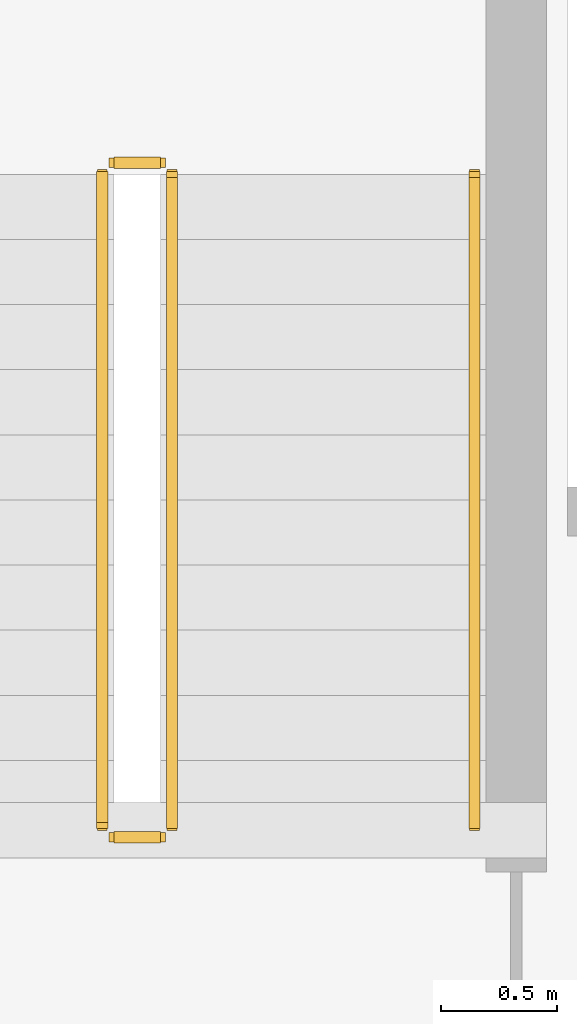
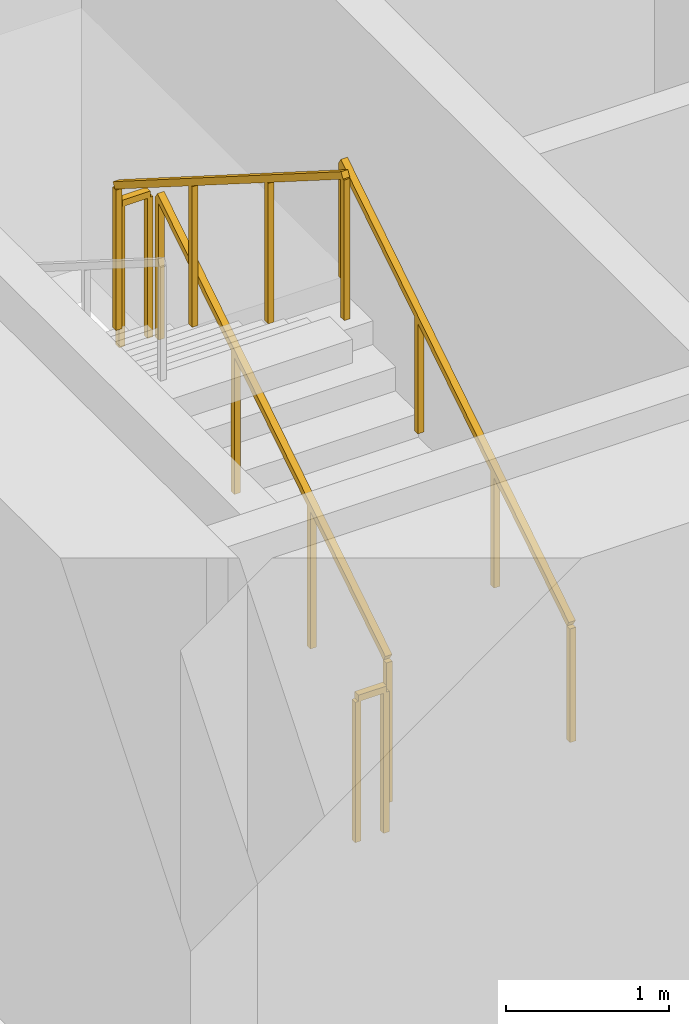
# One storey, part 27 of 29: 5 railings.
"""IFC4 building model written with IfcOpenShell, lengths in metres."""

from ifc_helpers import new_model, si_unit, direction, frame, origin, origin_2d, place, context, subcontext, project, spatial, rectangle, extrude, material, type_object, element, save


model = new_model("IFC4")

# Units and contexts
model_context = context("Model", 3, precision=1e-05, world=origin(), true_north=direction((0.0, 1.0)))
body_context = subcontext(model_context, "Body", "Model", "MODEL_VIEW")
ifc_project = project(units=[si_unit("LENGTHUNIT", "METRE"), si_unit("AREAUNIT", "SQUARE_METRE"), si_unit("VOLUMEUNIT", "CUBIC_METRE"), si_unit("PLANEANGLEUNIT", "RADIAN"), si_unit("MASSUNIT", "GRAM", prefix="KILO")], contexts=[model_context])

# Site, building, storey
site_placement = place(None, origin())
site = spatial("IfcSite", under=ifc_project, at=site_placement, CompositionType="ELEMENT")
building_placement = place(site_placement, origin())
building = spatial("IfcBuilding", under=site, at=building_placement, Name="Kiyonajd Concourse Tower", CompositionType="ELEMENT")
storey_placement = place(building_placement, frame((0.0, 0.0, 45.0)))
storey = spatial("IfcBuildingStorey", under=building, at=storey_placement, Name="L12", CompositionType="ELEMENT", Elevation=45.0)

# Railings
ifc_material_1 = material(Name="Steel ASTM A500 Grade C", Category="steel")
railing_type_1 = type_object("IfcRailingType", Name="RL-GRD-STR", PredefinedType="GUARDRAIL", material=ifc_material_1)
railing_1_placement = place(storey_placement, frame((35.5, 30.550048828125, 0.17724609375)))
element("IfcRailing", 1, at=railing_1_placement, inside=storey, type_object=railing_type_1, Name="L12 ST1 stair guard 1", PredefinedType="GUARDRAIL", context=body_context, shape_type="SweptSolid", body=[
    extrude(rectangle(XDim=0.048095703125, YDim=0.048095703125, at=origin_2d()), frame((0.0, 0.0, 1.076171875), z_axis=(0.0, 0.844908973607, 0.534910110503), x_axis=(-1.0, 0.0, 0.0)), (0.0, 0.0, 1.0), 3.31396484375),
    extrude(rectangle(XDim=0.0419921875, YDim=0.0419921875, at=origin_2d()), origin(), (0.0, 0.0, 1.0), 1.052001953125),
    extrude(rectangle(XDim=0.0419921875, YDim=0.0419921875, at=origin_2d()), frame((0.0, 0.933349609375, 0.5908203125)), (0.0, 0.0, 1.0), 1.052001953125),
    extrude(rectangle(XDim=0.0419921875, YDim=0.0419921875, at=origin_2d()), frame((0.0, 1.86669921875, 1.181884765625)), (0.0, 0.0, 1.0), 1.052001953125),
    extrude(rectangle(XDim=0.0419921875, YDim=0.0419921875, at=origin_2d()), frame((0.0, 2.800048828125, 1.772705078125)), (0.0, 0.0, 1.0), 1.052001953125),
])
railing_2_placement = place(storey_placement, frame((35.449951171875, 33.39990234375, 1.949951171875)))
element("IfcRailing", 2, at=railing_2_placement, inside=storey, type_object=railing_type_1, Name="L12 ST1 stair guard 2", PredefinedType="GUARDRAIL", context=body_context, shape_type="SweptSolid", body=[
    extrude(rectangle(XDim=0.048095703125, YDim=0.048095703125, at=origin_2d()), frame((0.0, 0.0, 1.076171875), z_axis=(-1.0, 0.0, 0.0), x_axis=(0.0, -1.0, 0.0)), (0.0, 0.0, 1.0), 0.199951171875),
    extrude(rectangle(XDim=0.0419921875, YDim=0.0419921875, at=origin_2d()), origin(), (0.0, 0.0, 1.0), 1.052001953125),
    extrude(rectangle(XDim=0.0419921875, YDim=0.0419921875, at=origin_2d()), frame((-0.199951171875, 0.0, 0.0)), (0.0, 0.0, 1.0), 1.052001953125),
])
railing_3_placement = place(storey_placement, frame((35.199951171875, 33.35009765625, 2.127197265625)))
element("IfcRailing", 3, at=railing_3_placement, inside=storey, type_object=railing_type_1, Name="L12 ST1 stair guard 3", PredefinedType="GUARDRAIL", context=body_context, shape_type="SweptSolid", body=[
    extrude(rectangle(XDim=0.048095703125, YDim=0.048095703125, at=origin_2d()), frame((0.0, 0.0, 1.076171875), z_axis=(0.0, -0.844908973607, 0.534910110503), x_axis=(1.0, 0.0, 0.0)), (0.0, 0.0, 1.0), 3.31396484375),
    extrude(rectangle(XDim=0.0419921875, YDim=0.0419921875, at=origin_2d()), origin(), (0.0, 0.0, 1.0), 1.052001953125),
    extrude(rectangle(XDim=0.0419921875, YDim=0.0419921875, at=origin_2d()), frame((0.0, -0.933349609375, 0.5908203125)), (0.0, 0.0, 1.0), 1.052001953125),
    extrude(rectangle(XDim=0.0419921875, YDim=0.0419921875, at=origin_2d()), frame((0.0, -1.86669921875, 1.181884765625)), (0.0, 0.0, 1.0), 1.052001953125),
    extrude(rectangle(XDim=0.0419921875, YDim=0.0419921875, at=origin_2d()), frame((0.0, -2.800048828125, 1.772705078125)), (0.0, 0.0, 1.0), 1.052001953125),
])
railing_4_placement = place(storey_placement, frame((35.449951171875, 30.5, 0.0)))
element("IfcRailing", 4, at=railing_4_placement, inside=storey, type_object=railing_type_1, Name="L12 ST1 stair guard 4", PredefinedType="GUARDRAIL", context=body_context, shape_type="SweptSolid", body=[
    extrude(rectangle(XDim=0.048095703125, YDim=0.048095703125, at=origin_2d()), frame((0.0, 0.0, 1.076171875), z_axis=(-1.0, 0.0, 0.0), x_axis=(0.0, -1.0, 0.0)), (0.0, 0.0, 1.0), 0.199951171875),
    extrude(rectangle(XDim=0.0419921875, YDim=0.0419921875, at=origin_2d()), origin(), (0.0, 0.0, 1.0), 1.052001953125),
    extrude(rectangle(XDim=0.0419921875, YDim=0.0419921875, at=origin_2d()), frame((-0.199951171875, 0.0, 0.0)), (0.0, 0.0, 1.0), 1.052001953125),
])
ifc_material_2 = material(Name="Brushed Stainless Steel Cab Assembly", Category="steel")
railing_type_2 = type_object("IfcRailingType", Name="RL-HND-900", PredefinedType="HANDRAIL", material=ifc_material_2)
railing_5_placement = place(storey_placement, frame((36.800048828125, 30.550048828125, 0.17724609375)))
element("IfcRailing", 5, at=railing_5_placement, inside=storey, type_object=railing_type_2, Name="L12 ST1 stair handrail 1", PredefinedType="HANDRAIL", context=body_context, shape_type="SweptSolid", body=[
    extrude(rectangle(XDim=0.048095703125, YDim=0.048095703125, at=origin_2d()), frame((0.0, 0.0, 0.8759765625), z_axis=(0.0, 0.844908973607, 0.534910110503), x_axis=(-1.0, 0.0, 0.0)), (0.0, 0.0, 1.0), 3.31396484375),
    extrude(rectangle(XDim=0.0419921875, YDim=0.0419921875, at=origin_2d()), origin(), (0.0, 0.0, 1.0), 0.851806640625),
    extrude(rectangle(XDim=0.0419921875, YDim=0.0419921875, at=origin_2d()), frame((0.0, 0.933349609375, 0.5908203125)), (0.0, 0.0, 1.0), 0.851806640625),
    extrude(rectangle(XDim=0.0419921875, YDim=0.0419921875, at=origin_2d()), frame((0.0, 1.86669921875, 1.181884765625)), (0.0, 0.0, 1.0), 0.851806640625),
    extrude(rectangle(XDim=0.0419921875, YDim=0.0419921875, at=origin_2d()), frame((0.0, 2.800048828125, 1.772705078125)), (0.0, 0.0, 1.0), 0.851806640625),
])

save(model, "model.ifc")
